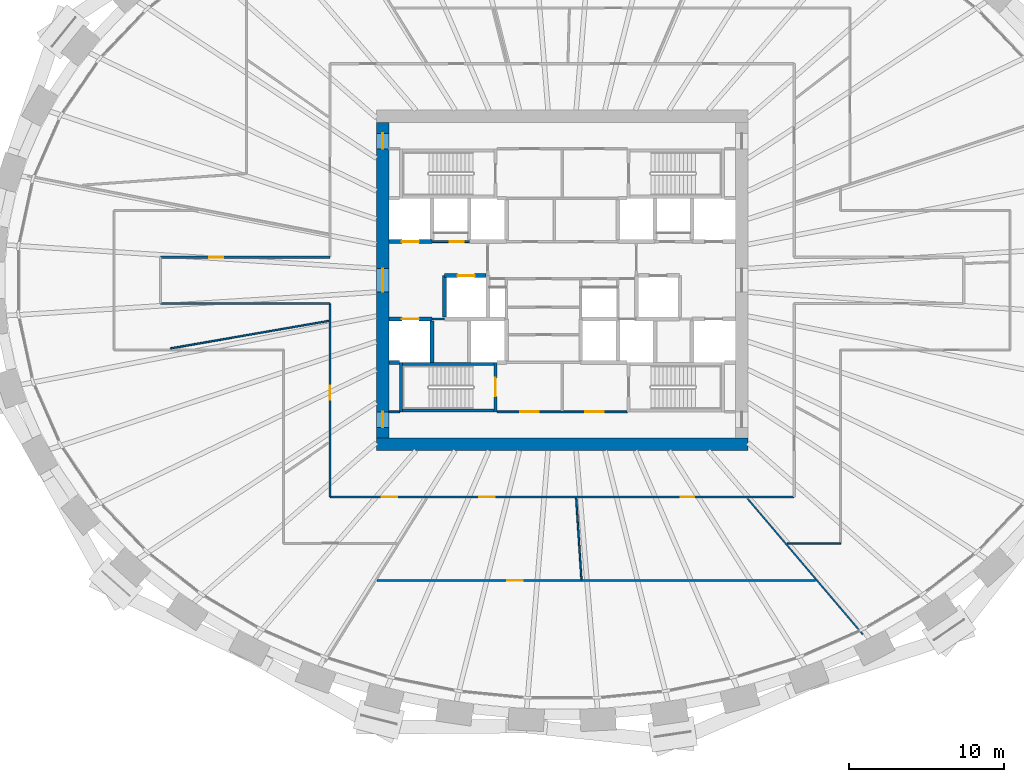
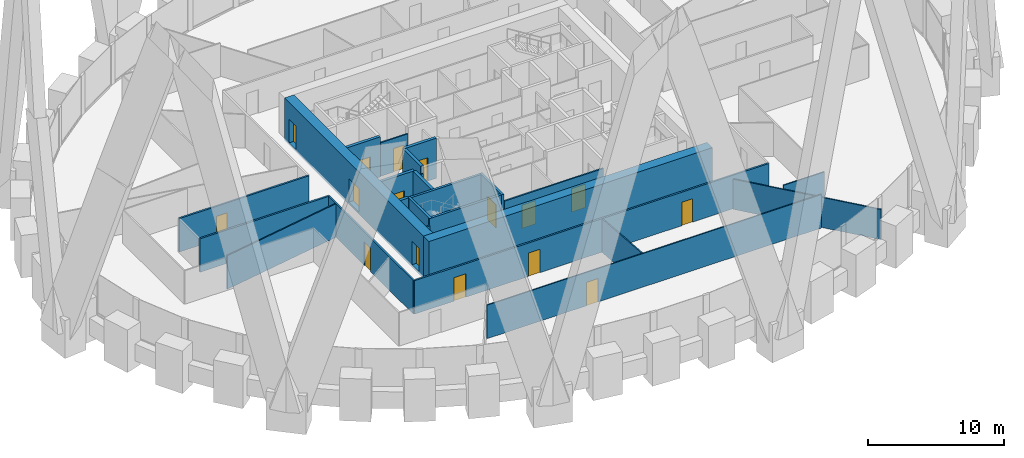
# One storey, part 7 of 12: 25 walls, 16 doors, 16 openings.
"""IFC4 building model written with IfcOpenShell, lengths in metres."""

from ifc_helpers import new_model, si_unit, direction, frame, frame_2d, origin, place, context, subcontext, project, spatial, rectangle, extrude, source, transform, mapped, material, layer, layer_set, type_object, element, fill, save


model = new_model("IFC4")

# Units and contexts
model_context = context("Model", 3, precision=1e-05, world=origin(), true_north=direction((0.0, 1.0)))
body_context = subcontext(model_context, "Body", "Model", "MODEL_VIEW")
ifc_project = project(units=[si_unit("LENGTHUNIT", "METRE"), si_unit("AREAUNIT", "SQUARE_METRE"), si_unit("VOLUMEUNIT", "CUBIC_METRE"), si_unit("PLANEANGLEUNIT", "RADIAN"), si_unit("MASSUNIT", "GRAM", prefix="KILO")], contexts=[model_context])

# Site, building, storey
site_placement = place(None, origin())
site = spatial("IfcSite", under=ifc_project, at=site_placement, CompositionType="ELEMENT")
building_placement = place(site_placement, origin())
building = spatial("IfcBuilding", under=site, at=building_placement, Name="Embergate Tower", CompositionType="ELEMENT")
storey_placement = place(building_placement, frame((0.0, 0.0, 191.10009765625)))
storey = spatial("IfcBuildingStorey", under=building, at=storey_placement, Name="L43", CompositionType="ELEMENT", Elevation=191.10009765625)

# Wall
ifc_material_1 = material(Name="Concrete C70", Category="concrete")
ifc_layer_1 = layer(ifc_material_1, 0.800048828125)
ifc_layer_set_1 = layer_set([ifc_layer_1], Name="Concrete C70")
wall_type_1 = type_object("IfcWallType", Name="Core outer wall C70 800", PredefinedType="SHEAR", material=ifc_layer_set_1)
shared_shape_1 = source(origin(), body_context, "Body", "SweptSolid", [
    extrude(rectangle(XDim=24.0, YDim=0.800048828125, at=frame_2d((12.0, 0.0))), origin(), (0.0, 0.0, 1.0), 3.800048828125),
])
wall_1_placement = place(storey_placement, frame((-12.0, -10.60009765625, -0.2001953125), z_axis=(0.0, 0.0, 1.0), x_axis=(1.0, 0.0, 0.0)))
element("IfcWall", 1, at=wall_1_placement, inside=storey, type_object=wall_type_1, Name="CW-L43-S", PredefinedType="SHEAR", context=body_context, shape_type="MappedRepresentation", body=[
    mapped(shared_shape_1, transform((0.0, 0.0, 0.0))),
])

# Wall, openings, doors
shared_shape_2 = source(origin(), body_context, "Body", "SweptSolid", [
    extrude(rectangle(XDim=20.39990234375, YDim=0.800048828125, at=frame_2d((10.199951171875, 0.0))), origin(), (0.0, 0.0, 1.0), 3.800048828125),
])
wall_2_placement = place(storey_placement, frame((-11.60009765625, -10.199951171875, -0.2001953125), z_axis=(0.0, 0.0, 1.0), x_axis=(0.0, 1.0, 0.0)))
wall_2 = element("IfcWall", 2, at=wall_2_placement, inside=storey, type_object=wall_type_1, Name="CW-L43-W", PredefinedType="SHEAR", context=body_context, shape_type="MappedRepresentation", body=[
    mapped(shared_shape_2, transform((0.0, 0.0, 0.0))),
])
shared_shape_3 = source(origin(), body_context, "Body", "SweptSolid", [
    extrude(rectangle(XDim=1.0, YDim=2.10009765625, at=frame_2d((0.5, 1.050048828125))), frame((0.0, 0.409912109375, 0.0), z_axis=(0.0, -1.0, 0.0), x_axis=(1.0, 0.0, 0.0)), (0.0, 0.0, 1.0), 0.820068359375),
])
opening_1_placement = place(wall_2_placement, frame((18.699951171875, 0.0, 0.199951171875)))
opening_1 = element("IfcOpeningElement", 3, at=opening_1_placement, cuts=wall_2, Name="Opening IF-1d", PredefinedType="OPENING", context=body_context, shape_type="MappedRepresentation", body=[
    mapped(shared_shape_3, transform((0.0, 0.0, 0.0))),
])
opening_2_placement = place(wall_2_placement, frame((0.699951171875, 0.0, 0.199951171875)))
opening_2 = element("IfcOpeningElement", 4, at=opening_2_placement, cuts=wall_2, Name="Opening IF-1d", PredefinedType="OPENING", context=body_context, shape_type="MappedRepresentation", body=[
    mapped(shared_shape_3, transform((0.0, 0.0, 0.0))),
])
shared_shape_4 = source(origin(), body_context, "Body", "SweptSolid", [
    extrude(rectangle(XDim=1.5, YDim=2.10009765625, at=frame_2d((0.75, 1.050048828125))), frame((0.0, 0.409912109375, 0.0), z_axis=(0.0, -1.0, 0.0), x_axis=(1.0, 0.0, 0.0)), (0.0, 0.0, 1.0), 0.820068359375),
])
opening_3_placement = place(wall_2_placement, frame((9.449951171875, 0.0, 0.199951171875)))
opening_3 = element("IfcOpeningElement", 5, at=opening_3_placement, cuts=wall_2, Name="Opening IF-3", PredefinedType="OPENING", context=body_context, shape_type="MappedRepresentation", body=[
    mapped(shared_shape_4, transform((0.0, 0.0, 0.0))),
])
ifc_material_2 = material(Name="Lobby fire door pair 1500")
door_type_1 = type_object("IfcDoorType", Name="Lobby fire door pair 1500", OperationType="DOUBLE_DOOR_SINGLE_SWING", PredefinedType="DOOR", material=ifc_material_2)
shared_shape_5 = source(origin(), body_context, "Body", "SweptSolid", [
    extrude(rectangle(XDim=1.5, YDim=2.10009765625, at=frame_2d((0.75, 1.050048828125))), frame((0.0, 0.02490234375, 0.0), z_axis=(0.0, -1.0, 0.0), x_axis=(1.0, 0.0, 0.0)), (0.0, 0.0, 1.0), 0.050048828125),
])
door_1_placement = place(opening_3_placement, origin())
door_1 = element("IfcDoor", 6, at=door_1_placement, inside=storey, type_object=door_type_1, Name="IF-3 door", OperationType="DOUBLE_DOOR_SINGLE_SWING", OverallHeight=2.10009765625, OverallWidth=1.5, PredefinedType="DOOR", context=body_context, shape_type="MappedRepresentation", body=[
    mapped(shared_shape_5, transform((0.0, 0.0, 0.0))),
])
fill(opening_3, door_1)
ifc_material_3 = material(Name="Escape fire door 1000")
door_type_2 = type_object("IfcDoorType", Name="Escape fire door 1000", OperationType="SINGLE_SWING_LEFT", PredefinedType="DOOR", material=ifc_material_3)
shared_shape_6 = source(origin(), body_context, "Body", "SweptSolid", [
    extrude(rectangle(XDim=1.0, YDim=2.10009765625, at=frame_2d((0.5, 1.050048828125))), frame((0.0, 0.02490234375, 0.0), z_axis=(0.0, -1.0, 0.0), x_axis=(1.0, 0.0, 0.0)), (0.0, 0.0, 1.0), 0.050048828125),
])
door_2_placement = place(opening_1_placement, origin())
door_2 = element("IfcDoor", 7, at=door_2_placement, inside=storey, type_object=door_type_2, Name="IF-1 door", OperationType="SINGLE_SWING_LEFT", OverallHeight=2.10009765625, OverallWidth=1.0, PredefinedType="DOOR", context=body_context, shape_type="MappedRepresentation", body=[
    mapped(shared_shape_6, transform((0.0, 0.0, 0.0))),
])
fill(opening_1, door_2)
door_3_placement = place(opening_2_placement, origin())
door_3 = element("IfcDoor", 8, at=door_3_placement, inside=storey, type_object=door_type_2, Name="IF-1 door", OperationType="SINGLE_SWING_RIGHT", OverallHeight=2.10009765625, OverallWidth=1.0, PredefinedType="DOOR", context=body_context, shape_type="MappedRepresentation", body=[
    mapped(shared_shape_6, transform((0.0, 0.0, 0.0))),
])
fill(opening_2, door_3)

ifc_material_4 = material(Name="Core partition blockwork 120")
ifc_layer_2 = layer(ifc_material_4, 0.1201171875)
ifc_layer_set_2 = layer_set([ifc_layer_2], Name="Core partition blockwork 120")
wall_type_2 = type_object("IfcWallType", Name="Core partition blockwork 120", PredefinedType="PARTITIONING", material=ifc_layer_set_2)
shared_shape_7 = source(origin(), body_context, "Body", "SweptSolid", [
    extrude(rectangle(XDim=8.39990234375, YDim=0.1201171875, at=frame_2d((4.199951171875, 0.0))), origin(), (0.0, 0.0, 1.0), 3.0),
])
wall_3_placement = place(storey_placement, frame((-4.199951171875, -8.5, 0.0), z_axis=(0.0, 0.0, 1.0), x_axis=(1.0, 0.0, 0.0)))
wall_3 = element("IfcWall", 9, at=wall_3_placement, inside=storey, type_object=wall_type_2, Name="IP-3 wall", PredefinedType="PARTITIONING", context=body_context, shape_type="MappedRepresentation", body=[
    mapped(shared_shape_7, transform((0.0, 0.0, 0.0))),
])
shared_shape_8 = source(origin(), body_context, "Body", "SweptSolid", [
    extrude(rectangle(XDim=1.199951171875, YDim=2.10009765625, at=frame_2d((0.60009765625, 1.050048828125))), frame((0.0, 0.070068359375, 0.0), z_axis=(0.0, -1.0, 0.0), x_axis=(1.0, 0.0, 0.0)), (0.0, 0.0, 1.0), 0.14013671875),
])
opening_4_placement = place(wall_3_placement, frame((1.5, 0.0, 0.0)))
opening_4 = element("IfcOpeningElement", 10, at=opening_4_placement, cuts=wall_3, Name="Opening IF-3f", PredefinedType="OPENING", context=body_context, shape_type="MappedRepresentation", body=[
    mapped(shared_shape_8, transform((0.0, 0.0, 0.0))),
])
opening_5_placement = place(wall_3_placement, frame((5.699951171875, 0.0, 0.0)))
opening_5 = element("IfcOpeningElement", 11, at=opening_5_placement, cuts=wall_3, Name="Opening IF-3f", PredefinedType="OPENING", context=body_context, shape_type="MappedRepresentation", body=[
    mapped(shared_shape_8, transform((0.0, 0.0, 0.0))),
])
ifc_material_5 = material(Name="Lobby fire door pair 1200")
door_type_3 = type_object("IfcDoorType", Name="Lobby fire door pair 1200", OperationType="DOUBLE_DOOR_SINGLE_SWING", PredefinedType="DOOR", material=ifc_material_5)
shared_shape_9 = source(origin(), body_context, "Body", "SweptSolid", [
    extrude(rectangle(XDim=1.199951171875, YDim=2.10009765625, at=frame_2d((0.60009765625, 1.050048828125))), frame((0.0, 0.02490234375, 0.0), z_axis=(0.0, -1.0, 0.0), x_axis=(1.0, 0.0, 0.0)), (0.0, 0.0, 1.0), 0.050048828125),
])
door_4_placement = place(opening_4_placement, origin())
door_4 = element("IfcDoor", 12, at=door_4_placement, inside=storey, type_object=door_type_3, Name="IF-3 door", OperationType="DOUBLE_DOOR_SINGLE_SWING", OverallHeight=2.10009765625, OverallWidth=1.199951171875, PredefinedType="DOOR", context=body_context, shape_type="MappedRepresentation", body=[
    mapped(shared_shape_9, transform((0.0, 0.0, 0.0))),
])
fill(opening_4, door_4)
door_5_placement = place(opening_5_placement, origin())
door_5 = element("IfcDoor", 13, at=door_5_placement, inside=storey, type_object=door_type_3, Name="IF-3 door", OperationType="DOUBLE_DOOR_SINGLE_SWING", OverallHeight=2.10009765625, OverallWidth=1.199951171875, PredefinedType="DOOR", context=body_context, shape_type="MappedRepresentation", body=[
    mapped(shared_shape_9, transform((0.0, 0.0, 0.0))),
])
fill(opening_5, door_5)

# Wall, opening, door
ifc_material_6 = material(Name="Concrete C50", Category="concrete")
ifc_layer_3 = layer(ifc_material_6, 0.25)
ifc_layer_set_3 = layer_set([ifc_layer_3], Name="Concrete C50")
wall_type_3 = type_object("IfcWallType", Name="Hoistway wall reinforced concrete 250", PredefinedType="SHEAR", material=ifc_layer_set_3)
shared_shape_10 = source(origin(), body_context, "Body", "SweptSolid", [
    extrude(rectangle(XDim=2.675048828125, YDim=0.25, at=frame_2d((1.33740234375, 0.0))), origin(), (0.0, 0.0, 1.0), 3.599853515625),
])
wall_4_placement = place(storey_placement, frame((-4.925048828125, 0.300048828125, 0.0), z_axis=(0.0, 0.0, 1.0), x_axis=(-1.0, 0.0, 0.0)))
wall_4 = element("IfcWall", 14, at=wall_4_placement, inside=storey, type_object=wall_type_3, Name="HW-1 wall", PredefinedType="SHEAR", context=body_context, shape_type="MappedRepresentation", body=[
    mapped(shared_shape_10, transform((0.0, 0.0, 0.0))),
])
shared_shape_11 = source(origin(), body_context, "Body", "SweptSolid", [
    extrude(rectangle(XDim=1.10009765625, YDim=2.10009765625, at=frame_2d((0.550048828125, 1.050048828125))), frame((0.0, 0.135009765625, 0.0), z_axis=(0.0, -1.0, 0.0), x_axis=(1.0, 0.0, 0.0)), (0.0, 0.0, 1.0), 0.27001953125),
])
opening_6_placement = place(wall_4_placement, frame((0.72509765625, 0.0, 0.0)))
opening_6 = element("IfcOpeningElement", 15, at=opening_6_placement, cuts=wall_4, Name="Opening LD", PredefinedType="OPENING", context=body_context, shape_type="MappedRepresentation", body=[
    mapped(shared_shape_11, transform((0.0, 0.0, 0.0))),
])
ifc_material_7 = material(Name="Landing door sliding 1100")
door_type_4 = type_object("IfcDoorType", Name="Landing door sliding 1100", OperationType="SLIDING_TO_LEFT", PredefinedType="DOOR", material=ifc_material_7)
shared_shape_12 = source(origin(), body_context, "Body", "SweptSolid", [
    extrude(rectangle(XDim=1.10009765625, YDim=2.10009765625, at=frame_2d((0.550048828125, 1.050048828125))), frame((0.0, 0.02490234375, 0.0), z_axis=(0.0, -1.0, 0.0), x_axis=(1.0, 0.0, 0.0)), (0.0, 0.0, 1.0), 0.050048828125),
])
door_6_placement = place(opening_6_placement, origin())
door_6 = element("IfcDoor", 16, at=door_6_placement, inside=storey, type_object=door_type_4, Name="LD door", OperationType="SLIDING_TO_RIGHT", OverallHeight=2.10009765625, OverallWidth=1.10009765625, PredefinedType="DOOR", context=body_context, shape_type="MappedRepresentation", body=[
    mapped(shared_shape_12, transform((0.0, 0.0, 0.0))),
])
fill(opening_6, door_6)

# Walls
wall_5_placement = place(storey_placement, frame((-7.60009765625, 0.300048828125, 0.0), z_axis=(0.0, 0.0, 1.0), x_axis=(0.0, -1.0, 0.0)))
element("IfcWall", 17, at=wall_5_placement, inside=storey, type_object=wall_type_3, Name="HW-1 wall", PredefinedType="SHEAR", context=body_context, shape_type="MappedRepresentation", body=[
    mapped(shared_shape_10, transform((0.0, 0.0, 0.0))),
])
ifc_layer_4 = layer(ifc_material_6, 0.199951171875)
ifc_layer_set_4 = layer_set([ifc_layer_4], Name="Concrete C50")
wall_type_4 = type_object("IfcWallType", Name="Stair enclosure wall reinforced concrete 250", PredefinedType="SHEAR", material=ifc_layer_set_4)
shared_shape_13 = source(origin(), body_context, "Body", "SweptSolid", [
    extrude(rectangle(XDim=6.300048828125, YDim=0.199951171875, at=frame_2d((3.14990234375, 0.0))), origin(), (0.0, 0.0, 1.0), 3.599853515625),
])
for number, where, z_axis, x_axis, name in (
    (18, (-10.5, -5.39990234375, 0.0), (0.0, 0.0, 1.0), (1.0, 0.0, 0.0), "SE-1 wall"),
    (19, (-10.5, -8.39990234375, 0.0), (0.0, 0.0, 1.0), (1.0, 0.0, 0.0), "SE-1 wall"),
):
    element("IfcWall", number, at=place(storey_placement, frame(where, z_axis=z_axis, x_axis=x_axis)), inside=storey, type_object=wall_type_4, Name=name, PredefinedType="SHEAR", context=body_context, shape_type="MappedRepresentation", body=[
        mapped(shared_shape_13, transform((0.0, 0.0, 0.0))),
    ])

# Wall, opening, door
shared_shape_14 = source(origin(), body_context, "Body", "SweptSolid", [
    extrude(rectangle(XDim=3.199951171875, YDim=0.199951171875, at=frame_2d((1.60009765625, 0.0))), origin(), (0.0, 0.0, 1.0), 3.599853515625),
])
wall_6_placement = place(storey_placement, frame((-4.300048828125, -8.5, 0.0), z_axis=(0.0, 0.0, 1.0), x_axis=(0.0, 1.0, 0.0)))
wall_6 = element("IfcWall", 20, at=wall_6_placement, inside=storey, type_object=wall_type_4, Name="SE-1 wall", PredefinedType="SHEAR", context=body_context, shape_type="MappedRepresentation", body=[
    mapped(shared_shape_14, transform((0.0, 0.0, 0.0))),
])
shared_shape_15 = source(origin(), body_context, "Body", "SweptSolid", [
    extrude(rectangle(XDim=1.199951171875, YDim=2.10009765625, at=frame_2d((0.60009765625, 1.050048828125))), frame((0.0, 0.10986328125, 0.0), z_axis=(0.0, -1.0, 0.0), x_axis=(1.0, 0.0, 0.0)), (0.0, 0.0, 1.0), 0.219970703125),
])
opening_7_placement = place(wall_6_placement, frame((1.0, 0.0, 0.0)))
opening_7 = element("IfcOpeningElement", 21, at=opening_7_placement, cuts=wall_6, Name="Opening IF-2", PredefinedType="OPENING", context=body_context, shape_type="MappedRepresentation", body=[
    mapped(shared_shape_15, transform((0.0, 0.0, 0.0))),
])
ifc_material_8 = material(Name="Stair enclosure door 1200")
door_type_5 = type_object("IfcDoorType", Name="Stair enclosure door 1200", OperationType="SINGLE_SWING_LEFT", PredefinedType="DOOR", material=ifc_material_8)
door_7_placement = place(opening_7_placement, origin())
door_7 = element("IfcDoor", 22, at=door_7_placement, inside=storey, type_object=door_type_5, Name="IF-2 door", OperationType="SINGLE_SWING_RIGHT", OverallHeight=2.10009765625, OverallWidth=1.199951171875, PredefinedType="DOOR", context=body_context, shape_type="MappedRepresentation", body=[
    mapped(shared_shape_9, transform((0.0, 0.0, 0.0))),
])
fill(opening_7, door_7)

shared_shape_16 = source(origin(), body_context, "Body", "SweptSolid", [
    extrude(rectangle(XDim=2.39990234375, YDim=0.1201171875, at=frame_2d((1.199951171875, 0.0))), origin(), (0.0, 0.0, 1.0), 3.0),
])
wall_7_placement = place(storey_placement, frame((-8.39990234375, 2.5, 0.0), z_axis=(0.0, 0.0, 1.0), x_axis=(1.0, 0.0, 0.0)))
wall_7 = element("IfcWall", 23, at=wall_7_placement, inside=storey, type_object=wall_type_2, Name="IP-3 wall", PredefinedType="PARTITIONING", context=body_context, shape_type="MappedRepresentation", body=[
    mapped(shared_shape_16, transform((0.0, 0.0, 0.0))),
])
shared_shape_17 = source(origin(), body_context, "Body", "SweptSolid", [
    extrude(rectangle(XDim=0.89990234375, YDim=2.10009765625, at=frame_2d((0.449951171875, 1.050048828125))), frame((0.0, 0.070068359375, 0.0), z_axis=(0.0, -1.0, 0.0), x_axis=(1.0, 0.0, 0.0)), (0.0, 0.0, 1.0), 0.14013671875),
])
opening_8_placement = place(wall_7_placement, frame((1.14990234375, 0.0, 0.0)))
opening_8 = element("IfcOpeningElement", 24, at=opening_8_placement, cuts=wall_7, Name="Opening ID-1", PredefinedType="OPENING", context=body_context, shape_type="MappedRepresentation", body=[
    mapped(shared_shape_17, transform((0.0, 0.0, 0.0))),
])
ifc_material_9 = material(Name="Interior door 900")
door_type_6 = type_object("IfcDoorType", Name="Interior door 900", OperationType="SINGLE_SWING_LEFT", PredefinedType="DOOR", material=ifc_material_9)
shared_shape_18 = source(origin(), body_context, "Body", "SweptSolid", [
    extrude(rectangle(XDim=0.89990234375, YDim=2.10009765625, at=frame_2d((0.449951171875, 1.050048828125))), frame((0.0, 0.02490234375, 0.0), z_axis=(0.0, -1.0, 0.0), x_axis=(1.0, 0.0, 0.0)), (0.0, 0.0, 1.0), 0.050048828125),
])
door_8_placement = place(opening_8_placement, origin())
door_8 = element("IfcDoor", 25, at=door_8_placement, inside=storey, type_object=door_type_6, Name="ID-1 door", OperationType="SINGLE_SWING_RIGHT", OverallHeight=2.10009765625, OverallWidth=0.89990234375, PredefinedType="DOOR", context=body_context, shape_type="MappedRepresentation", body=[
    mapped(shared_shape_18, transform((0.0, 0.0, 0.0))),
])
fill(opening_8, door_8)

# Walls
shared_shape_19 = source(origin(), body_context, "Body", "SweptSolid", [
    extrude(rectangle(XDim=0.7958984375, YDim=0.1201171875, at=frame_2d((0.39794921875, 0.0))), origin(), (0.0, 0.0, 1.0), 3.0),
])
wall_8_placement = place(storey_placement, frame((-8.39794921875, -2.5, 0.0), z_axis=(0.0, 0.0, 1.0), x_axis=(1.0, 0.0, 0.0)))
element("IfcWall", 26, at=wall_8_placement, inside=storey, type_object=wall_type_2, Name="IP-3 wall", PredefinedType="PARTITIONING", context=body_context, shape_type="MappedRepresentation", body=[
    mapped(shared_shape_19, transform((0.0, 0.0, 0.0))),
])
shared_shape_20 = source(origin(), body_context, "Body", "SweptSolid", [
    extrude(rectangle(XDim=0.697998046875, YDim=0.1201171875, at=frame_2d((0.34912109375, 0.0))), origin(), (0.0, 0.0, 1.0), 3.0),
])
wall_9_placement = place(storey_placement, frame((-10.501953125, -8.5, 0.0), z_axis=(0.0, 0.0, 1.0), x_axis=(-1.0, 0.0, 0.0)))
element("IfcWall", 27, at=wall_9_placement, inside=storey, type_object=wall_type_2, Name="IP-3 wall", PredefinedType="PARTITIONING", context=body_context, shape_type="MappedRepresentation", body=[
    mapped(shared_shape_20, transform((0.0, 0.0, 0.0))),
])

# Wall, openings, doors
ifc_material_10 = material(Name="Corridor wall dry-lined 150")
ifc_layer_5 = layer(ifc_material_10, 0.14990234375)
ifc_layer_set_5 = layer_set([ifc_layer_5], Name="Corridor wall dry-lined 150")
wall_type_5 = type_object("IfcWallType", Name="Corridor wall dry-lined 150", PredefinedType="PARTITIONING", material=ifc_layer_set_5)
shared_shape_21 = source(origin(), body_context, "Body", "SweptSolid", [
    extrude(rectangle(XDim=30.0, YDim=0.14990234375, at=frame_2d((15.0, 0.0))), origin(), (0.0, 0.0, 1.0), 3.0),
])
wall_10_placement = place(storey_placement, frame((15.0, -14.0, 0.0), z_axis=(0.0, 0.0, 1.0), x_axis=(-1.0, 0.0, 0.0)))
wall_10 = element("IfcWall", 28, at=wall_10_placement, inside=storey, type_object=wall_type_5, Name="IP-2 wall", PredefinedType="PARTITIONING", context=body_context, shape_type="MappedRepresentation", body=[
    mapped(shared_shape_21, transform((0.0, 0.0, 0.0))),
])
shared_shape_22 = source(origin(), body_context, "Body", "SweptSolid", [
    extrude(rectangle(XDim=1.0, YDim=2.10009765625, at=frame_2d((0.5, 1.050048828125))), frame((0.0, 0.0849609375, 0.0), z_axis=(0.0, -1.0, 0.0), x_axis=(1.0, 0.0, 0.0)), (0.0, 0.0, 1.0), 0.169921875),
])
opening_9_placement = place(wall_10_placement, frame((19.35693359375, 0.0, 0.0)))
opening_9 = element("IfcOpeningElement", 29, at=opening_9_placement, cuts=wall_10, Name="Opening ID-2", PredefinedType="OPENING", context=body_context, shape_type="MappedRepresentation", body=[
    mapped(shared_shape_22, transform((0.0, 0.0, 0.0))),
])
shared_shape_23 = source(origin(), body_context, "Body", "SweptSolid", [
    extrude(rectangle(XDim=0.89990234375, YDim=2.10009765625, at=frame_2d((0.449951171875, 1.050048828125))), frame((0.0, 0.0849609375, 0.0), z_axis=(0.0, -1.0, 0.0), x_axis=(1.0, 0.0, 0.0)), (0.0, 0.0, 1.0), 0.169921875),
])
opening_10_placement = place(wall_10_placement, frame((6.446044921875, 0.0, 0.0)))
opening_10 = element("IfcOpeningElement", 30, at=opening_10_placement, cuts=wall_10, Name="Opening IF-1c", PredefinedType="OPENING", context=body_context, shape_type="MappedRepresentation", body=[
    mapped(shared_shape_23, transform((0.0, 0.0, 0.0))),
])
opening_11_placement = place(wall_10_placement, frame((25.64306640625, 0.0, 0.0)))
opening_11 = element("IfcOpeningElement", 31, at=opening_11_placement, cuts=wall_10, Name="Opening ID-2", PredefinedType="OPENING", context=body_context, shape_type="MappedRepresentation", body=[
    mapped(shared_shape_22, transform((0.0, 0.0, 0.0))),
])
ifc_material_11 = material(Name="Escape fire door 900")
door_type_7 = type_object("IfcDoorType", Name="Escape fire door 900", OperationType="SINGLE_SWING_LEFT", PredefinedType="DOOR", material=ifc_material_11)
door_9_placement = place(opening_10_placement, origin())
door_9 = element("IfcDoor", 32, at=door_9_placement, inside=storey, type_object=door_type_7, Name="IF-1 door", OperationType="SINGLE_SWING_LEFT", OverallHeight=2.10009765625, OverallWidth=0.89990234375, PredefinedType="DOOR", context=body_context, shape_type="MappedRepresentation", body=[
    mapped(shared_shape_18, transform((0.0, 0.0, 0.0))),
])
fill(opening_10, door_9)
ifc_material_12 = material(Name="Interior door 1000")
door_type_8 = type_object("IfcDoorType", Name="Interior door 1000", OperationType="SINGLE_SWING_LEFT", PredefinedType="DOOR", material=ifc_material_12)
door_10_placement = place(opening_9_placement, origin())
door_10 = element("IfcDoor", 33, at=door_10_placement, inside=storey, type_object=door_type_8, Name="ID-2 door", OperationType="SINGLE_SWING_LEFT", OverallHeight=2.10009765625, OverallWidth=1.0, PredefinedType="DOOR", context=body_context, shape_type="MappedRepresentation", body=[
    mapped(shared_shape_6, transform((0.0, 0.0, 0.0))),
])
fill(opening_9, door_10)
door_11_placement = place(opening_11_placement, origin())
door_11 = element("IfcDoor", 34, at=door_11_placement, inside=storey, type_object=door_type_8, Name="ID-2 door", OperationType="SINGLE_SWING_RIGHT", OverallHeight=2.10009765625, OverallWidth=1.0, PredefinedType="DOOR", context=body_context, shape_type="MappedRepresentation", body=[
    mapped(shared_shape_6, transform((0.0, 0.0, 0.0))),
])
fill(opening_11, door_11)

# Wall, opening, door
shared_shape_24 = source(origin(), body_context, "Body", "SweptSolid", [
    extrude(rectangle(XDim=12.5, YDim=0.14990234375, at=frame_2d((6.25, 0.0))), origin(), (0.0, 0.0, 1.0), 3.0),
])
wall_11_placement = place(storey_placement, frame((-15.0, -14.0, 0.0), z_axis=(0.0, 0.0, 1.0), x_axis=(0.0, 1.0, 0.0)))
wall_11 = element("IfcWall", 35, at=wall_11_placement, inside=storey, type_object=wall_type_5, Name="IP-2 wall", PredefinedType="PARTITIONING", context=body_context, shape_type="MappedRepresentation", body=[
    mapped(shared_shape_24, transform((0.0, 0.0, 0.0))),
])
opening_12_placement = place(wall_11_placement, frame((6.27294921875, 0.0, 0.0)))
opening_12 = element("IfcOpeningElement", 36, at=opening_12_placement, cuts=wall_11, Name="Opening IF-1c", PredefinedType="OPENING", context=body_context, shape_type="MappedRepresentation", body=[
    mapped(shared_shape_23, transform((0.0, 0.0, 0.0))),
])
door_12_placement = place(opening_12_placement, origin())
door_12 = element("IfcDoor", 37, at=door_12_placement, inside=storey, type_object=door_type_7, Name="IF-1 door", OperationType="SINGLE_SWING_RIGHT", OverallHeight=2.10009765625, OverallWidth=0.89990234375, PredefinedType="DOOR", context=body_context, shape_type="MappedRepresentation", body=[
    mapped(shared_shape_18, transform((0.0, 0.0, 0.0))),
])
fill(opening_12, door_12)

# Wall
shared_shape_25 = source(origin(), body_context, "Body", "SweptSolid", [
    extrude(rectangle(XDim=10.949951171875, YDim=0.14990234375, at=frame_2d((5.47509765625, 0.0))), origin(), (0.0, 0.0, 1.0), 3.0),
])
wall_12_placement = place(storey_placement, frame((-15.0, -1.5, 0.0), z_axis=(0.0, 0.0, 1.0), x_axis=(-1.0, 0.0, 0.0)))
element("IfcWall", 38, at=wall_12_placement, inside=storey, type_object=wall_type_5, Name="IP-2 wall", PredefinedType="PARTITIONING", context=body_context, shape_type="MappedRepresentation", body=[
    mapped(shared_shape_25, transform((0.0, 0.0, 0.0))),
])

# Wall, opening, door
wall_13_placement = place(storey_placement, frame((-25.949951171875, 1.5, 0.0), z_axis=(0.0, 0.0, 1.0), x_axis=(1.0, 0.0, 0.0)))
wall_13 = element("IfcWall", 39, at=wall_13_placement, inside=storey, type_object=wall_type_5, Name="IP-2 wall", PredefinedType="PARTITIONING", context=body_context, shape_type="MappedRepresentation", body=[
    mapped(shared_shape_25, transform((0.0, 0.0, 0.0))),
])
opening_13_placement = place(wall_13_placement, frame((3.135009765625, 0.0, 0.0)))
opening_13 = element("IfcOpeningElement", 40, at=opening_13_placement, cuts=wall_13, Name="Opening IF-1c", PredefinedType="OPENING", context=body_context, shape_type="MappedRepresentation", body=[
    mapped(shared_shape_23, transform((0.0, 0.0, 0.0))),
])
door_13_placement = place(opening_13_placement, origin())
door_13 = element("IfcDoor", 41, at=door_13_placement, inside=storey, type_object=door_type_7, Name="IF-1 door", OperationType="SINGLE_SWING_LEFT", OverallHeight=2.10009765625, OverallWidth=0.89990234375, PredefinedType="DOOR", context=body_context, shape_type="MappedRepresentation", body=[
    mapped(shared_shape_18, transform((0.0, 0.0, 0.0))),
])
fill(opening_13, door_13)

# Wall
ifc_material_13 = material(Name="Partition dry-lined 100")
ifc_layer_6 = layer(ifc_material_13, 0.10009765625)
ifc_layer_set_6 = layer_set([ifc_layer_6], Name="Partition dry-lined 100")
wall_type_6 = type_object("IfcWallType", Name="Partition dry-lined 100", PredefinedType="PARTITIONING", material=ifc_layer_set_6)
shared_shape_26 = source(origin(), body_context, "Body", "SweptSolid", [
    extrude(rectangle(XDim=5.2861328125, YDim=0.10009765625, at=frame_2d((2.64306640625, 0.0))), origin(), (0.0, 0.0, 1.0), 3.0),
])
wall_14_placement = place(storey_placement, frame((0.908935546875, -14.074951171875, 0.0), z_axis=(0.0, 0.0, 1.0), x_axis=(0.064520257661, -0.997916397476, 0.0)))
element("IfcWall", 42, at=wall_14_placement, inside=storey, type_object=wall_type_6, Name="IP-1 wall", PredefinedType="PARTITIONING", context=body_context, shape_type="MappedRepresentation", body=[
    mapped(shared_shape_26, transform((0.0, 0.0, 0.0))),
])

# Wall, opening, door
shared_shape_27 = source(origin(), body_context, "Body", "SweptSolid", [
    extrude(rectangle(XDim=28.327880859375, YDim=0.10009765625, at=frame_2d((14.1640625, 0.0))), origin(), (0.0, 0.0, 1.0), 3.0),
])
wall_15_placement = place(storey_placement, frame((16.365966796875, -19.39990234375, 0.0), z_axis=(0.0, 0.0, 1.0), x_axis=(-1.0, 0.0, 0.0)))
wall_15 = element("IfcWall", 43, at=wall_15_placement, inside=storey, type_object=wall_type_6, Name="IP-1 wall", PredefinedType="PARTITIONING", context=body_context, shape_type="MappedRepresentation", body=[
    mapped(shared_shape_27, transform((0.0, 0.0, 0.0))),
])
shared_shape_28 = source(origin(), body_context, "Body", "SweptSolid", [
    extrude(rectangle(XDim=1.0, YDim=2.10009765625, at=frame_2d((0.5, 1.050048828125))), frame((0.0, 0.06005859375, 0.0), z_axis=(0.0, -1.0, 0.0), x_axis=(1.0, 0.0, 0.0)), (0.0, 0.0, 1.0), 0.1201171875),
])
opening_14_placement = place(wall_15_placement, frame((18.92431640625, 0.0, 0.0)))
opening_14 = element("IfcOpeningElement", 44, at=opening_14_placement, cuts=wall_15, Name="Opening ID-2", PredefinedType="OPENING", context=body_context, shape_type="MappedRepresentation", body=[
    mapped(shared_shape_28, transform((0.0, 0.0, 0.0))),
])
door_14_placement = place(opening_14_placement, origin())
door_14 = element("IfcDoor", 45, at=door_14_placement, inside=storey, type_object=door_type_8, Name="ID-2 door", OperationType="SINGLE_SWING_LEFT", OverallHeight=2.10009765625, OverallWidth=1.0, PredefinedType="DOOR", context=body_context, shape_type="MappedRepresentation", body=[
    mapped(shared_shape_6, transform((0.0, 0.0, 0.0))),
])
fill(opening_14, door_14)

# Walls
ifc_material_14 = material(Name="Partition dry-lined 100 wet")
ifc_layer_7 = layer(ifc_material_14, 0.10009765625)
ifc_layer_set_7 = layer_set([ifc_layer_7], Name="Partition dry-lined 100 wet")
wall_type_7 = type_object("IfcWallType", Name="Partition dry-lined 100 wet", PredefinedType="PLUMBINGWALL", material=ifc_layer_set_7)
shared_shape_29 = source(origin(), body_context, "Body", "SweptSolid", [
    extrude(rectangle(XDim=11.51611328125, YDim=0.10009765625, at=frame_2d((5.758056640625, 0.0))), origin(), (0.0, 0.0, 1.0), 2.699951171875),
])
wall_16_placement = place(storey_placement, frame((19.43408203125, -22.885009765625, 0.0), z_axis=(0.0, 0.0, 1.0), x_axis=(-0.647282189323, 0.762250462371, 0.0)))
element("IfcWall", 46, at=wall_16_placement, inside=storey, type_object=wall_type_7, Name="IP-1 wall", PredefinedType="PLUMBINGWALL", context=body_context, shape_type="MappedRepresentation", body=[
    mapped(shared_shape_29, transform((0.0, 0.0, 0.0))),
])
shared_shape_30 = source(origin(), body_context, "Body", "SweptSolid", [
    extrude(rectangle(XDim=3.4560546875, YDim=0.10009765625, at=frame_2d((1.72802734375, 0.0))), origin(), (0.0, 0.0, 1.0), 3.0),
])
wall_17_placement = place(storey_placement, frame((14.5439453125, -17.0, 0.0), z_axis=(0.0, 0.0, 1.0), x_axis=(1.0, 0.0, 0.0)))
element("IfcWall", 47, at=wall_17_placement, inside=storey, type_object=wall_type_7, Name="IP-1 wall", PredefinedType="PLUMBINGWALL", context=body_context, shape_type="MappedRepresentation", body=[
    mapped(shared_shape_30, transform((0.0, 0.0, 0.0))),
])
shared_shape_31 = source(origin(), body_context, "Body", "SweptSolid", [
    extrude(rectangle(XDim=10.38037109375, YDim=0.10009765625, at=frame_2d((5.190185546875, 0.0))), origin(), (0.0, 0.0, 1.0), 3.0),
])
wall_18_placement = place(storey_placement, frame((-15.083984375, -2.623046875, 0.0), z_axis=(0.0, 0.0, 1.0), x_axis=(-0.98522452588, -0.171267724933, 0.0)))
element("IfcWall", 48, at=wall_18_placement, inside=storey, type_object=wall_type_6, Name="IP-1 wall", PredefinedType="PARTITIONING", context=body_context, shape_type="MappedRepresentation", body=[
    mapped(shared_shape_31, transform((0.0, 0.0, 0.0))),
])

# Wall, opening, door
shared_shape_32 = source(origin(), body_context, "Body", "SweptSolid", [
    extrude(rectangle(XDim=2.800048828125, YDim=0.25, at=frame_2d((1.39990234375, 0.0))), origin(), (0.0, 0.0, 1.0), 3.599853515625),
])
wall_19_placement = place(storey_placement, frame((-11.199951171875, 2.5, 0.0), z_axis=(0.0, 0.0, 1.0), x_axis=(1.0, 0.0, 0.0)))
wall_19 = element("IfcWall", 49, at=wall_19_placement, inside=storey, type_object=wall_type_3, Name="HW-1 wall", PredefinedType="SHEAR", context=body_context, shape_type="MappedRepresentation", body=[
    mapped(shared_shape_32, transform((0.0, 0.0, 0.0))),
])
opening_15_placement = place(wall_19_placement, frame((0.85009765625, 0.0, 0.0)))
opening_15 = element("IfcOpeningElement", 50, at=opening_15_placement, cuts=wall_19, Name="Opening LD", PredefinedType="OPENING", context=body_context, shape_type="MappedRepresentation", body=[
    mapped(shared_shape_11, transform((0.0, 0.0, 0.0))),
])
door_15_placement = place(opening_15_placement, origin())
door_15 = element("IfcDoor", 51, at=door_15_placement, inside=storey, type_object=door_type_4, Name="LD door", OperationType="SLIDING_TO_LEFT", OverallHeight=2.10009765625, OverallWidth=1.10009765625, PredefinedType="DOOR", context=body_context, shape_type="MappedRepresentation", body=[
    mapped(shared_shape_12, transform((0.0, 0.0, 0.0))),
])
fill(opening_15, door_15)

wall_20_placement = place(storey_placement, frame((-8.39990234375, -2.5, 0.0), z_axis=(0.0, 0.0, 1.0), x_axis=(-1.0, 0.0, 0.0)))
wall_20 = element("IfcWall", 52, at=wall_20_placement, inside=storey, type_object=wall_type_3, Name="HW-1 wall", PredefinedType="SHEAR", context=body_context, shape_type="MappedRepresentation", body=[
    mapped(shared_shape_32, transform((0.0, 0.0, 0.0))),
])
opening_16_placement = place(wall_20_placement, frame((0.85009765625, 0.0, 0.0)))
opening_16 = element("IfcOpeningElement", 53, at=opening_16_placement, cuts=wall_20, Name="Opening LD", PredefinedType="OPENING", context=body_context, shape_type="MappedRepresentation", body=[
    mapped(shared_shape_11, transform((0.0, 0.0, 0.0))),
])
door_16_placement = place(opening_16_placement, origin())
door_16 = element("IfcDoor", 54, at=door_16_placement, inside=storey, type_object=door_type_4, Name="LD door", OperationType="SLIDING_TO_LEFT", OverallHeight=2.10009765625, OverallWidth=1.10009765625, PredefinedType="DOOR", context=body_context, shape_type="MappedRepresentation", body=[
    mapped(shared_shape_12, transform((0.0, 0.0, 0.0))),
])
fill(opening_16, door_16)

# Walls
shared_shape_33 = source(origin(), body_context, "Body", "SweptSolid", [
    extrude(rectangle(XDim=3.196044921875, YDim=0.199951171875, at=frame_2d((1.59814453125, 0.0))), origin(), (0.0, 0.0, 1.0), 3.599853515625),
])
wall_21_placement = place(storey_placement, frame((-10.39990234375, -5.302001953125, 0.0), z_axis=(0.0, 0.0, 1.0), x_axis=(0.0, -1.0, 0.0)))
element("IfcWall", 55, at=wall_21_placement, inside=storey, type_object=wall_type_4, Name="SE-1 wall", PredefinedType="SHEAR", context=body_context, shape_type="MappedRepresentation", body=[
    mapped(shared_shape_33, transform((0.0, 0.0, 0.0))),
])
shared_shape_34 = source(origin(), body_context, "Body", "SweptSolid", [
    extrude(rectangle(XDim=0.697998046875, YDim=0.25, at=frame_2d((0.34912109375, 0.0))), origin(), (0.0, 0.0, 1.0), 3.599853515625),
])
wall_22_placement = place(storey_placement, frame((-11.199951171875, -5.300048828125, 0.0), z_axis=(0.0, 0.0, 1.0), x_axis=(1.0, 0.0, 0.0)))
element("IfcWall", 56, at=wall_22_placement, inside=storey, type_object=wall_type_3, Name="HW-1 wall", PredefinedType="SHEAR", context=body_context, shape_type="MappedRepresentation", body=[
    mapped(shared_shape_34, transform((0.0, 0.0, 0.0))),
])
shared_shape_35 = source(origin(), body_context, "Body", "SweptSolid", [
    extrude(rectangle(XDim=2.671142578125, YDim=0.25, at=frame_2d((1.33544921875, 0.0))), origin(), (0.0, 0.0, 1.0), 3.599853515625),
])
wall_23_placement = place(storey_placement, frame((-8.39990234375, -5.298095703125, 0.0), z_axis=(0.0, 0.0, 1.0), x_axis=(0.0, 1.0, 0.0)))
element("IfcWall", 57, at=wall_23_placement, inside=storey, type_object=wall_type_3, Name="HW-1 wall", PredefinedType="SHEAR", context=body_context, shape_type="MappedRepresentation", body=[
    mapped(shared_shape_35, transform((0.0, 0.0, 0.0))),
])

save(model, "model.ifc")
